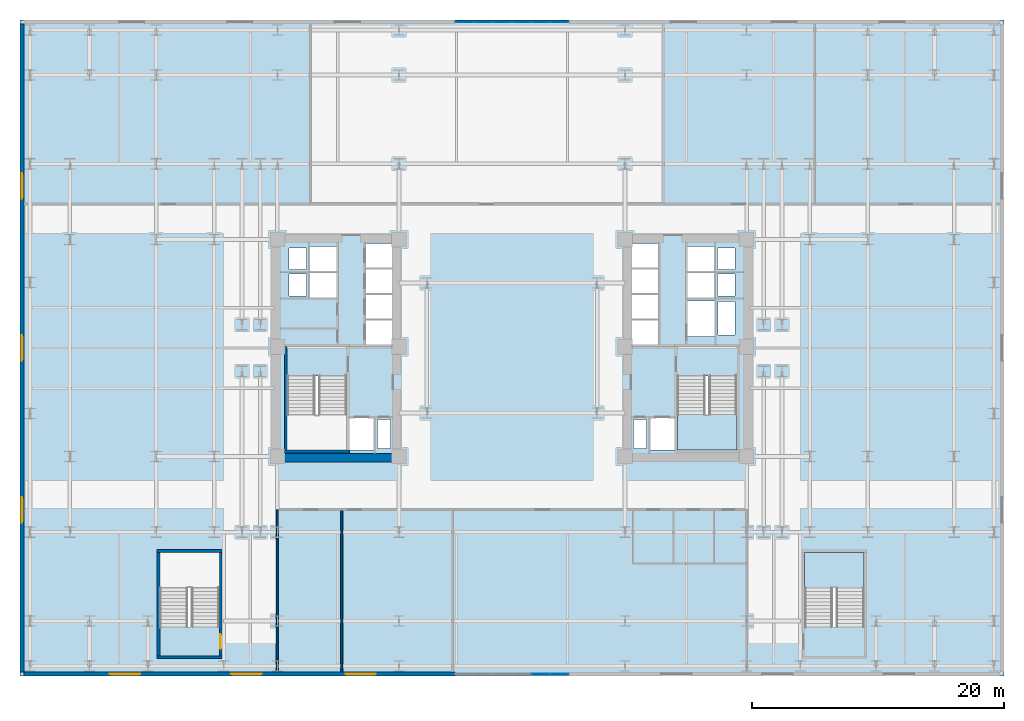
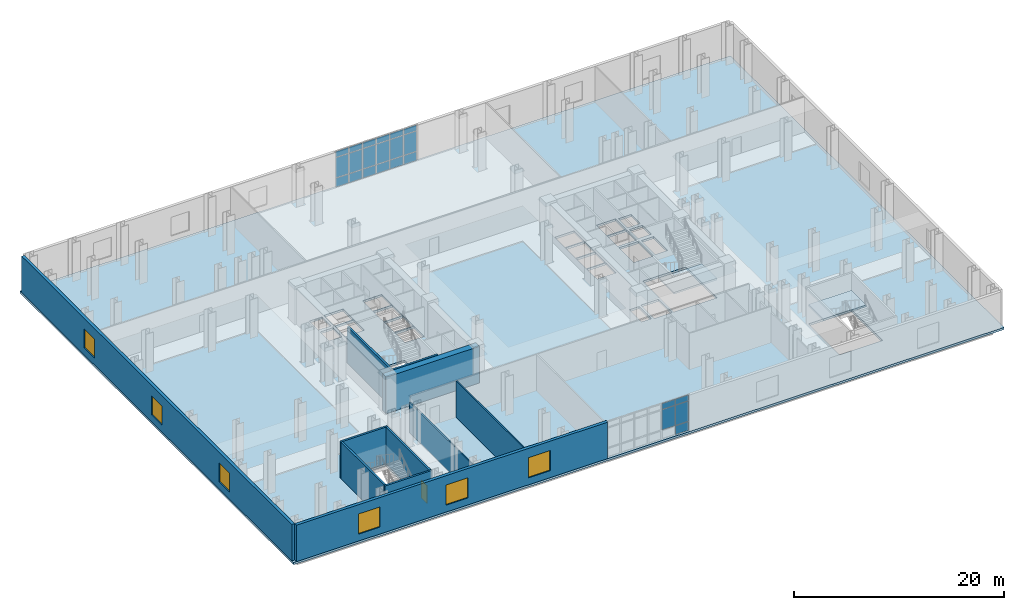
# One storey, part 7 of 15: 23 plates, 11 walls, 6 windows, 3 slabs, 1 door, 7 openings, 4 elements without a shape of their own.
"""IFC4 building model written with IfcOpenShell, lengths in metres."""

from ifc_helpers import new_model, si_unit, direction, frame, frame_2d, origin, origin_2d, place, context, subcontext, project, spatial, polyline, rectangle, outline, extrude, material, layer, layer_set, type_object, element, fill, aggregate, save


model = new_model("IFC4")

# Units and contexts
model_context = context("Model", 3, precision=1e-05, world=origin(), true_north=direction((0.0, 1.0)))
body_context = subcontext(model_context, "Body", "Model", "MODEL_VIEW")
ifc_project = project(units=[si_unit("LENGTHUNIT", "METRE"), si_unit("AREAUNIT", "SQUARE_METRE"), si_unit("VOLUMEUNIT", "CUBIC_METRE"), si_unit("PLANEANGLEUNIT", "RADIAN"), si_unit("MASSUNIT", "GRAM", prefix="KILO")], contexts=[model_context])

# Site, building, storey
site_placement = place(None, origin())
site = spatial("IfcSite", under=ifc_project, at=site_placement, CompositionType="ELEMENT")
building_placement = place(site_placement, origin())
building = spatial("IfcBuilding", under=site, at=building_placement, Name="Velakula Bourse", CompositionType="ELEMENT")
storey_placement = place(building_placement, frame((0.0, 0.0, 14.10009765625)))
storey = spatial("IfcBuildingStorey", under=building, at=storey_placement, Name="L03", CompositionType="ELEMENT", Elevation=14.10009765625)

# Curtain wall, plates
ifc_material_1 = material(Name="Anodised bronze architectural aluminium", Category="aluminium")
ifc_layer_1 = layer(ifc_material_1, 0.179931640625, Name="Anodised bronze architectural aluminium", Category="aluminium")
ifc_layer_set_1 = layer_set([ifc_layer_1], Name="Anodised bronze architectural aluminium")
curtain_wall_type = type_object("IfcCurtainWallType", Name="CW-PD1", PredefinedType="NOTDEFINED", material=ifc_layer_set_1)
curtain_wall_1_placement = place(storey_placement, origin())
curtain_wall_1 = element("IfcCurtainWall", 1, at=curtain_wall_1_placement, inside=storey, type_object=curtain_wall_type, Name="L03 South Station Galleria Curtain Wall 2", PredefinedType="NOTDEFINED")
ifc_material_2 = material(Name="Double-glazed solar-control Low-E glass", Category="glass")
ifc_layer_2 = layer(ifc_material_2, 0.02587890625, Name="Double-glazed solar-control Low-E glass", Category="glass")
ifc_layer_set_2 = layer_set([ifc_layer_2], Name="Double-glazed solar-control Low-E glass")
plate_type = type_object("IfcPlateType", Name="PNL-CW-PD1", PredefinedType="CURTAIN_PANEL", material=ifc_layer_set_2)
plate_1_placement = place(storey_placement, frame((3.735107421875, -25.840087890625, 0.06005859375), z_axis=(0.0, 0.0, 1.0), x_axis=(-1.0, 0.0, 0.0)))
plate_1 = element("IfcPlate", 2, at=plate_1_placement, type_object=plate_type, Name="CW-PD1 panel 1.1", PredefinedType="CURTAIN_PANEL", context=body_context, shape_type="SweptSolid", body=[
    extrude(rectangle(XDim=1.409912109375, YDim=0.028076171875, at=origin_2d()), origin(), (0.0, 0.0, 1.0), 1.010009765625),
])
plate_2_placement = place(storey_placement, frame((3.735107421875, -25.840087890625, 1.1298828125), z_axis=(0.0, 0.0, 1.0), x_axis=(-1.0, 0.0, 0.0)))
plate_2 = element("IfcPlate", 3, at=plate_2_placement, type_object=plate_type, Name="CW-PD1 panel 1.2", PredefinedType="CURTAIN_PANEL", context=body_context, shape_type="SweptSolid", body=[
    extrude(rectangle(XDim=1.409912109375, YDim=0.028076171875, at=origin_2d()), origin(), (0.0, 0.0, 1.0), 2.320068359375),
])
plate_3_placement = place(storey_placement, frame((3.735107421875, -25.840087890625, 3.509765625), z_axis=(0.0, 0.0, 1.0), x_axis=(-1.0, 0.0, 0.0)))
plate_3 = element("IfcPlate", 4, at=plate_3_placement, type_object=plate_type, Name="CW-PD1 panel 1.3", PredefinedType="CURTAIN_PANEL", context=body_context, shape_type="SweptSolid", body=[
    extrude(rectangle(XDim=1.409912109375, YDim=0.028076171875, at=origin_2d()), origin(), (0.0, 0.0, 1.0), 0.659912109375),
])
plate_4_placement = place(storey_placement, frame((2.25, -25.840087890625, 1.1298828125), z_axis=(0.0, 0.0, 1.0), x_axis=(-1.0, 0.0, 0.0)))
plate_4 = element("IfcPlate", 5, at=plate_4_placement, type_object=plate_type, Name="CW-PD1 panel 2.2", PredefinedType="CURTAIN_PANEL", context=body_context, shape_type="SweptSolid", body=[
    extrude(rectangle(XDim=1.43994140625, YDim=0.028076171875, at=origin_2d()), origin(), (0.0, 0.0, 1.0), 2.320068359375),
])
plate_5_placement = place(storey_placement, frame((2.25, -25.840087890625, 3.509765625), z_axis=(0.0, 0.0, 1.0), x_axis=(-1.0, 0.0, 0.0)))
plate_5 = element("IfcPlate", 6, at=plate_5_placement, type_object=plate_type, Name="CW-PD1 panel 2.3", PredefinedType="CURTAIN_PANEL", context=body_context, shape_type="SweptSolid", body=[
    extrude(rectangle(XDim=1.43994140625, YDim=0.028076171875, at=origin_2d()), origin(), (0.0, 0.0, 1.0), 0.659912109375),
])
aggregate(curtain_wall_1, [plate_1, plate_2, plate_3, plate_4, plate_5])

curtain_wall_2_placement = place(storey_placement, origin())
curtain_wall_2 = element("IfcCurtainWall", 7, at=curtain_wall_2_placement, inside=storey, type_object=curtain_wall_type, Name="L03 North Station Galleria Curtain Wall 2", PredefinedType="NOTDEFINED")
plate_6_placement = place(storey_placement, frame((-3.735107421875, 25.840087890625, 0.06005859375), z_axis=(0.0, 0.0, 1.0), x_axis=(1.0, 0.0, 0.0)))
plate_6 = element("IfcPlate", 8, at=plate_6_placement, type_object=plate_type, Name="CW-PD1 panel 1.1", PredefinedType="CURTAIN_PANEL", context=body_context, shape_type="SweptSolid", body=[
    extrude(rectangle(XDim=1.409912109375, YDim=0.028076171875, at=origin_2d()), origin(), (0.0, 0.0, 1.0), 1.010009765625),
])
plate_7_placement = place(storey_placement, frame((-3.735107421875, 25.840087890625, 1.1298828125), z_axis=(0.0, 0.0, 1.0), x_axis=(1.0, 0.0, 0.0)))
plate_7 = element("IfcPlate", 9, at=plate_7_placement, type_object=plate_type, Name="CW-PD1 panel 1.2", PredefinedType="CURTAIN_PANEL", context=body_context, shape_type="SweptSolid", body=[
    extrude(rectangle(XDim=1.409912109375, YDim=0.028076171875, at=origin_2d()), origin(), (0.0, 0.0, 1.0), 2.320068359375),
])
plate_8_placement = place(storey_placement, frame((-3.735107421875, 25.840087890625, 3.509765625), z_axis=(0.0, 0.0, 1.0), x_axis=(1.0, 0.0, 0.0)))
plate_8 = element("IfcPlate", 10, at=plate_8_placement, type_object=plate_type, Name="CW-PD1 panel 1.3", PredefinedType="CURTAIN_PANEL", context=body_context, shape_type="SweptSolid", body=[
    extrude(rectangle(XDim=1.409912109375, YDim=0.028076171875, at=origin_2d()), origin(), (0.0, 0.0, 1.0), 0.659912109375),
])
plate_9_placement = place(storey_placement, frame((-2.25, 25.840087890625, 0.06005859375), z_axis=(0.0, 0.0, 1.0), x_axis=(1.0, 0.0, 0.0)))
plate_9 = element("IfcPlate", 11, at=plate_9_placement, type_object=plate_type, Name="CW-PD1 panel 2.1", PredefinedType="CURTAIN_PANEL", context=body_context, shape_type="SweptSolid", body=[
    extrude(rectangle(XDim=1.43994140625, YDim=0.028076171875, at=origin_2d()), origin(), (0.0, 0.0, 1.0), 1.010009765625),
])
plate_10_placement = place(storey_placement, frame((-2.25, 25.840087890625, 1.1298828125), z_axis=(0.0, 0.0, 1.0), x_axis=(1.0, 0.0, 0.0)))
plate_10 = element("IfcPlate", 12, at=plate_10_placement, type_object=plate_type, Name="CW-PD1 panel 2.2", PredefinedType="CURTAIN_PANEL", context=body_context, shape_type="SweptSolid", body=[
    extrude(rectangle(XDim=1.43994140625, YDim=0.028076171875, at=origin_2d()), origin(), (0.0, 0.0, 1.0), 2.320068359375),
])
plate_11_placement = place(storey_placement, frame((-2.25, 25.840087890625, 3.509765625), z_axis=(0.0, 0.0, 1.0), x_axis=(1.0, 0.0, 0.0)))
plate_11 = element("IfcPlate", 13, at=plate_11_placement, type_object=plate_type, Name="CW-PD1 panel 2.3", PredefinedType="CURTAIN_PANEL", context=body_context, shape_type="SweptSolid", body=[
    extrude(rectangle(XDim=1.43994140625, YDim=0.028076171875, at=origin_2d()), origin(), (0.0, 0.0, 1.0), 0.659912109375),
])
plate_12_placement = place(storey_placement, frame((-0.75, 25.840087890625, 0.06005859375), z_axis=(0.0, 0.0, 1.0), x_axis=(1.0, 0.0, 0.0)))
plate_12 = element("IfcPlate", 14, at=plate_12_placement, type_object=plate_type, Name="CW-PD1 panel 3.1", PredefinedType="CURTAIN_PANEL", context=body_context, shape_type="SweptSolid", body=[
    extrude(rectangle(XDim=1.43994140625, YDim=0.028076171875, at=origin_2d()), origin(), (0.0, 0.0, 1.0), 1.010009765625),
])
plate_13_placement = place(storey_placement, frame((-0.75, 25.840087890625, 1.1298828125), z_axis=(0.0, 0.0, 1.0), x_axis=(1.0, 0.0, 0.0)))
plate_13 = element("IfcPlate", 15, at=plate_13_placement, type_object=plate_type, Name="CW-PD1 panel 3.2", PredefinedType="CURTAIN_PANEL", context=body_context, shape_type="SweptSolid", body=[
    extrude(rectangle(XDim=1.43994140625, YDim=0.028076171875, at=origin_2d()), origin(), (0.0, 0.0, 1.0), 2.320068359375),
])
plate_14_placement = place(storey_placement, frame((-0.75, 25.840087890625, 3.509765625), z_axis=(0.0, 0.0, 1.0), x_axis=(1.0, 0.0, 0.0)))
plate_14 = element("IfcPlate", 16, at=plate_14_placement, type_object=plate_type, Name="CW-PD1 panel 3.3", PredefinedType="CURTAIN_PANEL", context=body_context, shape_type="SweptSolid", body=[
    extrude(rectangle(XDim=1.43994140625, YDim=0.028076171875, at=origin_2d()), origin(), (0.0, 0.0, 1.0), 0.659912109375),
])
plate_15_placement = place(storey_placement, frame((0.75, 25.840087890625, 0.06005859375), z_axis=(0.0, 0.0, 1.0), x_axis=(1.0, 0.0, 0.0)))
plate_15 = element("IfcPlate", 17, at=plate_15_placement, type_object=plate_type, Name="CW-PD1 panel 4.1", PredefinedType="CURTAIN_PANEL", context=body_context, shape_type="SweptSolid", body=[
    extrude(rectangle(XDim=1.43994140625, YDim=0.028076171875, at=origin_2d()), origin(), (0.0, 0.0, 1.0), 1.010009765625),
])
plate_16_placement = place(storey_placement, frame((0.75, 25.840087890625, 1.1298828125), z_axis=(0.0, 0.0, 1.0), x_axis=(1.0, 0.0, 0.0)))
plate_16 = element("IfcPlate", 18, at=plate_16_placement, type_object=plate_type, Name="CW-PD1 panel 4.2", PredefinedType="CURTAIN_PANEL", context=body_context, shape_type="SweptSolid", body=[
    extrude(rectangle(XDim=1.43994140625, YDim=0.028076171875, at=origin_2d()), origin(), (0.0, 0.0, 1.0), 2.320068359375),
])
plate_17_placement = place(storey_placement, frame((0.75, 25.840087890625, 3.509765625), z_axis=(0.0, 0.0, 1.0), x_axis=(1.0, 0.0, 0.0)))
plate_17 = element("IfcPlate", 19, at=plate_17_placement, type_object=plate_type, Name="CW-PD1 panel 4.3", PredefinedType="CURTAIN_PANEL", context=body_context, shape_type="SweptSolid", body=[
    extrude(rectangle(XDim=1.43994140625, YDim=0.028076171875, at=origin_2d()), origin(), (0.0, 0.0, 1.0), 0.659912109375),
])
plate_18_placement = place(storey_placement, frame((2.25, 25.840087890625, 0.06005859375), z_axis=(0.0, 0.0, 1.0), x_axis=(1.0, 0.0, 0.0)))
plate_18 = element("IfcPlate", 20, at=plate_18_placement, type_object=plate_type, Name="CW-PD1 panel 5.1", PredefinedType="CURTAIN_PANEL", context=body_context, shape_type="SweptSolid", body=[
    extrude(rectangle(XDim=1.43994140625, YDim=0.028076171875, at=origin_2d()), origin(), (0.0, 0.0, 1.0), 1.010009765625),
])
plate_19_placement = place(storey_placement, frame((2.25, 25.840087890625, 1.1298828125), z_axis=(0.0, 0.0, 1.0), x_axis=(1.0, 0.0, 0.0)))
plate_19 = element("IfcPlate", 21, at=plate_19_placement, type_object=plate_type, Name="CW-PD1 panel 5.2", PredefinedType="CURTAIN_PANEL", context=body_context, shape_type="SweptSolid", body=[
    extrude(rectangle(XDim=1.43994140625, YDim=0.028076171875, at=origin_2d()), origin(), (0.0, 0.0, 1.0), 2.320068359375),
])
plate_20_placement = place(storey_placement, frame((2.25, 25.840087890625, 3.509765625), z_axis=(0.0, 0.0, 1.0), x_axis=(1.0, 0.0, 0.0)))
plate_20 = element("IfcPlate", 22, at=plate_20_placement, type_object=plate_type, Name="CW-PD1 panel 5.3", PredefinedType="CURTAIN_PANEL", context=body_context, shape_type="SweptSolid", body=[
    extrude(rectangle(XDim=1.43994140625, YDim=0.028076171875, at=origin_2d()), origin(), (0.0, 0.0, 1.0), 0.659912109375),
])
plate_21_placement = place(storey_placement, frame((3.735107421875, 25.840087890625, 0.06005859375), z_axis=(0.0, 0.0, 1.0), x_axis=(1.0, 0.0, 0.0)))
plate_21 = element("IfcPlate", 23, at=plate_21_placement, type_object=plate_type, Name="CW-PD1 panel 6.1", PredefinedType="CURTAIN_PANEL", context=body_context, shape_type="SweptSolid", body=[
    extrude(rectangle(XDim=1.409912109375, YDim=0.028076171875, at=origin_2d()), origin(), (0.0, 0.0, 1.0), 1.010009765625),
])
plate_22_placement = place(storey_placement, frame((3.735107421875, 25.840087890625, 1.1298828125), z_axis=(0.0, 0.0, 1.0), x_axis=(1.0, 0.0, 0.0)))
plate_22 = element("IfcPlate", 24, at=plate_22_placement, type_object=plate_type, Name="CW-PD1 panel 6.2", PredefinedType="CURTAIN_PANEL", context=body_context, shape_type="SweptSolid", body=[
    extrude(rectangle(XDim=1.409912109375, YDim=0.028076171875, at=origin_2d()), origin(), (0.0, 0.0, 1.0), 2.320068359375),
])
plate_23_placement = place(storey_placement, frame((3.735107421875, 25.840087890625, 3.509765625), z_axis=(0.0, 0.0, 1.0), x_axis=(1.0, 0.0, 0.0)))
plate_23 = element("IfcPlate", 25, at=plate_23_placement, type_object=plate_type, Name="CW-PD1 panel 6.3", PredefinedType="CURTAIN_PANEL", context=body_context, shape_type="SweptSolid", body=[
    extrude(rectangle(XDim=1.409912109375, YDim=0.028076171875, at=origin_2d()), origin(), (0.0, 0.0, 1.0), 0.659912109375),
])
aggregate(curtain_wall_2, [plate_6, plate_7, plate_8, plate_9, plate_10, plate_11, plate_12, plate_13, plate_14, plate_15, plate_16, plate_17, plate_18, plate_19, plate_20, plate_21, plate_22, plate_23])

# Slab
ifc_material_3 = material(Name="Concrete M50 (fck 50 MPa)", Category="concrete")
ifc_layer_3 = layer(ifc_material_3, 0.25, Name="Concrete M50 (fck 50 MPa)", Category="concrete")
ifc_layer_set_3 = layer_set([ifc_layer_3], Name="Concrete M50 (fck 50 MPa)")
slab_type_1 = type_object("IfcSlabType", Name="SLB-POD-250", PredefinedType="FLOOR", material=ifc_layer_set_3)
slab_1_placement = place(storey_placement, frame((0.0, 0.0, -0.25)))
element("IfcSlab", 26, at=slab_1_placement, inside=storey, type_object=slab_type_1, Name="L03 Suspended Structural Floor Slab", PredefinedType="FLOOR", context=body_context, shape_type="SweptSolid", body=[
    extrude(outline(polyline([(-39.0, -26.0), (39.0, -26.0), (39.0, 26.0), (-39.0, 26.0), (-39.0, -26.0)]), holes=[polyline([(-17.820068359375, -8.10009765625), (-13.10009765625, -8.10009765625), (-13.10009765625, -2.199951171875), (-17.820068359375, -2.199951171875), (-17.820068359375, -8.10009765625)]), polyline([(13.10009765625, -8.10009765625), (17.820068359375, -8.10009765625), (17.820068359375, -2.199951171875), (13.10009765625, -2.199951171875), (13.10009765625, -8.10009765625)]), polyline([(-27.919921875, -22.10009765625), (-23.199951171875, -22.10009765625), (-23.199951171875, -16.199951171875), (-27.919921875, -16.199951171875), (-27.919921875, -22.10009765625)]), polyline([(23.199951171875, -22.10009765625), (27.919921875, -22.10009765625), (27.919921875, -16.199951171875), (23.199951171875, -16.199951171875), (23.199951171875, -22.10009765625)]), polyline([(-12.89990234375, -8.10009765625), (-10.949951171875, -8.10009765625), (-10.949951171875, -5.550048828125), (-12.89990234375, -5.550048828125), (-12.89990234375, -8.10009765625)]), polyline([(10.949951171875, -8.10009765625), (12.89990234375, -8.10009765625), (12.89990234375, -5.550048828125), (10.949951171875, -5.550048828125), (10.949951171875, -8.10009765625)]), polyline([(13.89990234375, 0.919921875), (16.050048828125, 0.919921875), (16.050048828125, 3.719970703125), (13.89990234375, 3.719970703125), (13.89990234375, 0.919921875)]), polyline([(-10.679931640625, -7.97998046875), (-9.6201171875, -7.97998046875), (-9.6201171875, -5.669921875), (-10.679931640625, -5.669921875), (-10.679931640625, -7.97998046875)]), polyline([(-17.679931640625, 4.139892578125), (-16.27001953125, 4.139892578125), (-16.27001953125, 5.85009765625), (-17.679931640625, 5.85009765625), (-17.679931640625, 4.139892578125)]), polyline([(-17.679931640625, 6.2099609375), (-16.27001953125, 6.2099609375), (-16.27001953125, 7.919921875), (-17.679931640625, 7.919921875), (-17.679931640625, 6.2099609375)]), polyline([(9.6201171875, -7.97998046875), (10.679931640625, -7.97998046875), (10.679931640625, -5.669921875), (9.6201171875, -5.669921875), (9.6201171875, -7.97998046875)]), polyline([(16.27001953125, 4.139892578125), (17.679931640625, 4.139892578125), (17.679931640625, 5.85009765625), (16.27001953125, 5.85009765625), (16.27001953125, 4.139892578125)]), polyline([(16.27001953125, 6.2099609375), (17.679931640625, 6.2099609375), (17.679931640625, 7.919921875), (16.27001953125, 7.919921875), (16.27001953125, 6.2099609375)]), polyline([(16.320068359375, 1.0400390625), (17.679931640625, 1.0400390625), (17.679931640625, 3.699951171875), (16.320068359375, 3.699951171875), (16.320068359375, 1.0400390625)]), polyline([(-11.60009765625, 0.280029296875), (-9.5, 0.280029296875), (-9.5, 2.199951171875), (-11.60009765625, 2.199951171875), (-11.60009765625, 0.280029296875)]), polyline([(-11.60009765625, 2.31005859375), (-9.5, 2.31005859375), (-9.5, 4.22998046875), (-11.60009765625, 4.22998046875), (-11.60009765625, 2.31005859375)]), polyline([(-11.60009765625, 4.340087890625), (-9.5, 4.340087890625), (-9.5, 6.260009765625), (-11.60009765625, 6.260009765625), (-11.60009765625, 4.340087890625)]), polyline([(-11.60009765625, 6.3701171875), (-9.5, 6.3701171875), (-9.5, 8.2900390625), (-11.60009765625, 8.2900390625), (-11.60009765625, 6.3701171875)]), polyline([(9.5, 0.280029296875), (11.60009765625, 0.280029296875), (11.60009765625, 2.199951171875), (9.5, 2.199951171875), (9.5, 0.280029296875)]), polyline([(9.5, 2.31005859375), (11.60009765625, 2.31005859375), (11.60009765625, 4.22998046875), (9.5, 4.22998046875), (9.5, 2.31005859375)]), polyline([(9.5, 4.340087890625), (11.60009765625, 4.340087890625), (11.60009765625, 6.260009765625), (9.5, 6.260009765625), (9.5, 4.340087890625)]), polyline([(9.5, 6.3701171875), (11.60009765625, 6.3701171875), (11.60009765625, 8.2900390625), (9.5, 8.2900390625), (9.5, 6.3701171875)]), polyline([(-16.0, 4.02001953125), (-13.89990234375, 4.02001953125), (-13.89990234375, 5.969970703125), (-16.0, 5.969970703125), (-16.0, 4.02001953125)]), polyline([(-16.0, 6.090087890625), (-13.89990234375, 6.090087890625), (-13.89990234375, 8.0400390625), (-16.0, 8.0400390625), (-16.0, 6.090087890625)]), polyline([(13.89990234375, 4.02001953125), (16.0, 4.02001953125), (16.0, 5.969970703125), (13.89990234375, 5.969970703125), (13.89990234375, 4.02001953125)]), polyline([(13.89990234375, 6.090087890625), (16.0, 6.090087890625), (16.0, 8.0400390625), (13.89990234375, 8.0400390625), (13.89990234375, 6.090087890625)])]), origin(), (0.0, 0.0, 1.0), 0.25),
])

# Stair, slab
ifc_material_4 = material(Name="Concrete M45 (fck 45 MPa)", Category="concrete")
stair_type = type_object("IfcStairType", Name="STR-DOG-435", PredefinedType="HALF_TURN_STAIR", material=ifc_material_4)
stair_1_placement = place(storey_placement, origin())
stair_1 = element("IfcStair", 27, at=stair_1_placement, inside=storey, type_object=stair_type, Name="L03 East Core Exit Stair ST-E1", PredefinedType="HALF_TURN_STAIR")
ifc_layer_4 = layer(ifc_material_4, 0.199951171875, Name="Concrete M45 (fck 45 MPa)", Category="concrete")
ifc_layer_set_4 = layer_set([ifc_layer_4], Name="Concrete M45 (fck 45 MPa)")
slab_type_2 = type_object("IfcSlabType", Name="SLB-STAIR-LND-200", PredefinedType="LANDING", material=ifc_layer_set_4)
slab_2_placement = place(storey_placement, frame((0.0, 0.0, 2.0498046875)))
slab_2 = element("IfcSlab", 28, at=slab_2_placement, type_object=slab_type_2, Name="ST-E1 landing 1", PredefinedType="LANDING", context=body_context, shape_type="SweptSolid", body=[
    extrude(outline(polyline([(13.10009765625, -5.280029296875), (13.10009765625, -8.10009765625), (17.820068359375, -8.10009765625), (17.820068359375, -5.280029296875), (13.10009765625, -5.280029296875)])), origin(), (0.0, 0.0, 1.0), 0.2001953125),
])
aggregate(stair_1, [slab_2])

stair_2_placement = place(storey_placement, origin())
stair_2 = element("IfcStair", 29, at=stair_2_placement, inside=storey, type_object=stair_type, Name="L03 East Podium Exit Stair ST-P2", PredefinedType="HALF_TURN_STAIR")
slab_3_placement = place(storey_placement, frame((0.0, 0.0, 2.0498046875)))
slab_3 = element("IfcSlab", 30, at=slab_3_placement, type_object=slab_type_2, Name="ST-P2 landing 1", PredefinedType="LANDING", context=body_context, shape_type="SweptSolid", body=[
    extrude(outline(polyline([(27.919921875, -19.02001953125), (27.919921875, -16.199951171875), (23.199951171875, -16.199951171875), (23.199951171875, -19.02001953125), (27.919921875, -19.02001953125)])), origin(), (0.0, 0.0, 1.0), 0.2001953125),
])
aggregate(stair_2, [slab_3])

# Walls
ifc_layer_5 = layer(ifc_material_3, 0.2099609375, Name="Concrete M50 (fck 50 MPa)", Category="concrete")
ifc_layer_set_5 = layer_set([ifc_layer_5], Name="Concrete M50 (fck 50 MPa)")
wall_type_1 = type_object("IfcWallType", Name="WL-CORE-210", PredefinedType="SHEAR", material=ifc_layer_set_5)
wall_1_placement = place(storey_placement, frame((-17.925048828125, -8.10009765625, 0.0), z_axis=(0.0, 0.0, 1.0), x_axis=(0.0, 1.0, 0.0)))
element("IfcWall", 31, at=wall_1_placement, inside=storey, type_object=wall_type_1, Name="L03 Core W Stairwell Shear Wall OUT", PredefinedType="SHEAR", context=body_context, shape_type="SweptSolid", body=[
    extrude(rectangle(XDim=8.2001953125, YDim=0.2099609375, at=frame_2d((4.10009765625, 0.0))), origin(), (0.0, 0.0, 1.0), 4.25),
])
wall_2_placement = place(storey_placement, frame((-18.030029296875, -8.205078125, 0.0), z_axis=(0.0, 0.0, 1.0), x_axis=(1.0, 0.0, 0.0)))
element("IfcWall", 32, at=wall_2_placement, inside=storey, type_object=wall_type_1, Name="L03 Core W Stairwell Shear Wall S", PredefinedType="SHEAR", context=body_context, shape_type="SweptSolid", body=[
    extrude(rectangle(XDim=5.14013671875, YDim=0.2099609375, at=frame_2d((2.570068359375, 0.0))), origin(), (0.0, 0.0, 1.0), 4.25),
])
for number, where, z_axis, x_axis, name in (
    (33, (-28.1298828125, -24.5048828125, 0.0), (0.0, 0.0, 1.0), (1.0, 0.0, 0.0), "L03 Podium Stair ST-P1 Shear Wall S"),
    (34, (-28.1298828125, -16.094970703125, 0.0), (0.0, 0.0, 1.0), (1.0, 0.0, 0.0), "L03 Podium Stair ST-P1 Shear Wall N"),
):
    element("IfcWall", number, at=place(storey_placement, frame(where, z_axis=z_axis, x_axis=x_axis)), inside=storey, type_object=wall_type_1, Name=name, PredefinedType="SHEAR", context=body_context, shape_type="SweptSolid", body=[
        extrude(rectangle(XDim=5.139892578125, YDim=0.2099609375, at=frame_2d((2.56982421875, 0.0))), origin(), (0.0, 0.0, 1.0), 4.25),
    ])
wall_3_placement = place(storey_placement, frame((-28.02490234375, -24.39990234375, 0.0), z_axis=(0.0, 0.0, 1.0), x_axis=(0.0, 1.0, 0.0)))
element("IfcWall", 35, at=wall_3_placement, inside=storey, type_object=wall_type_1, Name="L03 Podium Stair ST-P1 Shear Wall W", PredefinedType="SHEAR", context=body_context, shape_type="SweptSolid", body=[
    extrude(rectangle(XDim=8.199951171875, YDim=0.2099609375, at=frame_2d((4.10009765625, 0.0))), origin(), (0.0, 0.0, 1.0), 4.25),
])

# Wall, opening, door
wall_4_placement = place(storey_placement, frame((-23.094970703125, -24.39990234375, 0.0), z_axis=(0.0, 0.0, 1.0), x_axis=(0.0, 1.0, 0.0)))
wall_4 = element("IfcWall", 36, at=wall_4_placement, inside=storey, type_object=wall_type_1, Name="L03 Podium Stair ST-P1 Shear Wall E", PredefinedType="SHEAR", context=body_context, shape_type="SweptSolid", body=[
    extrude(rectangle(XDim=8.199951171875, YDim=0.2099609375, at=frame_2d((4.10009765625, 0.0))), origin(), (0.0, 0.0, 1.0), 4.25),
])
opening_1_placement = place(wall_4_placement, frame((0.550048828125, 0.0, 0.0)))
opening_1 = element("IfcOpeningElement", 37, at=opening_1_placement, cuts=wall_4, Name="Opening D-P1", PredefinedType="OPENING", context=body_context, shape_type="SweptSolid", body=[
    extrude(rectangle(XDim=1.14990234375, YDim=2.10009765625, at=frame_2d((0.574951171875, 1.050048828125))), frame((0.0, 0.114990234375, 0.0), z_axis=(0.0, -1.0, 0.0), x_axis=(1.0, 0.0, 0.0)), (0.0, 0.0, 1.0), 0.22998046875),
])
ifc_material_5 = material(Name="Galvanised painted hollow steel fire door", Category="steel")
door_type = type_object("IfcDoorType", Name="DR-FD120-1150x2100", OperationType="NOTDEFINED", PredefinedType="DOOR", material=ifc_material_5)
door_placement = place(opening_1_placement, origin())
door = element("IfcDoor", 38, at=door_placement, inside=storey, type_object=door_type, Name="L03 Stair ST-P1 Fire Door", OperationType="SINGLE_SWING_LEFT", OverallHeight=2.10009765625, OverallWidth=1.14990234375, PredefinedType="DOOR", context=body_context, shape_type="SweptSolid", body=[
    extrude(rectangle(XDim=1.14990234375, YDim=2.10009765625, at=frame_2d((0.574951171875, 1.050048828125))), frame((0.0, 0.02490234375, 0.0), z_axis=(0.0, -1.0, 0.0), x_axis=(1.0, 0.0, 0.0)), (0.0, 0.0, 1.0), 0.050048828125),
])
fill(opening_1, door)

# Wall
ifc_material_6 = material(Name="Concrete M70 (fck 70 MPa)", Category="concrete")
ifc_layer_6 = layer(ifc_material_6, 0.699951171875, Name="Concrete M70 (fck 70 MPa)", Category="concrete")
ifc_layer_set_6 = layer_set([ifc_layer_6], Name="Concrete M70 (fck 70 MPa)")
wall_type_2 = type_object("IfcWallType", Name="WL-CORE-700", PredefinedType="SHEAR", material=ifc_layer_set_6)
wall_5_placement = place(storey_placement, frame((-19.050048828125, -8.699951171875, 0.0), z_axis=(0.0, 0.0, 1.0), x_axis=(1.0, 0.0, 0.0)))
element("IfcWall", 39, at=wall_5_placement, inside=storey, type_object=wall_type_2, Name="L03 Core W Shear Wall S", PredefinedType="SHEAR", context=body_context, shape_type="SweptSolid", body=[
    extrude(rectangle(XDim=10.25, YDim=0.699951171875, at=frame_2d((5.125, 0.0))), origin(), (0.0, 0.0, 1.0), 4.25),
])

# Wall, openings, windows
ifc_material_7 = material(Name="Red kilned clay facing brick masonry", Category="masonry")
ifc_layer_7 = layer(ifc_material_7, 0.320068359375, Name="Red kilned clay facing brick masonry", Category="masonry")
ifc_layer_set_7 = layer_set([ifc_layer_7], Name="Red kilned clay facing brick masonry")
wall_type_3 = type_object("IfcWallType", Name="WL-EXT-BRK-320", PredefinedType="STANDARD", material=ifc_layer_set_7)
wall_6_placement = place(storey_placement, frame((-4.5, -25.840087890625, 0.0), z_axis=(0.0, 0.0, 1.0), x_axis=(-1.0, 0.0, 0.0)))
wall_6 = element("IfcWall", 40, at=wall_6_placement, inside=storey, type_object=wall_type_3, Name="L03 South Brick Facade Wall 3", PredefinedType="STANDARD", context=body_context, shape_type="SweptSolid", body=[
    extrude(rectangle(XDim=34.179931640625, YDim=0.320068359375, at=frame_2d((17.08984375, 0.0))), origin(), (0.0, 0.0, 1.0), 4.22998046875),
])
opening_2_placement = place(wall_6_placement, frame((6.294921875, 0.0, 0.800048828125)))
opening_2 = element("IfcOpeningElement", 41, at=opening_2_placement, cuts=wall_6, Name="Opening W-06", PredefinedType="OPENING", context=body_context, shape_type="SweptSolid", body=[
    extrude(rectangle(XDim=2.39990234375, YDim=2.35009765625, at=frame_2d((1.199951171875, 1.175048828125))), frame((0.0, 0.169921875, 0.0), z_axis=(0.0, -1.0, 0.0), x_axis=(1.0, 0.0, 0.0)), (0.0, 0.0, 1.0), 0.340087890625),
])
opening_3_placement = place(wall_6_placement, frame((15.340087890625, 0.0, 0.800048828125)))
opening_3 = element("IfcOpeningElement", 42, at=opening_3_placement, cuts=wall_6, Name="Opening W-06", PredefinedType="OPENING", context=body_context, shape_type="SweptSolid", body=[
    extrude(rectangle(XDim=2.39990234375, YDim=2.35009765625, at=frame_2d((1.199951171875, 1.175048828125))), frame((0.0, 0.169921875, 0.0), z_axis=(0.0, -1.0, 0.0), x_axis=(1.0, 0.0, 0.0)), (0.0, 0.0, 1.0), 0.340087890625),
])
opening_4_placement = place(wall_6_placement, frame((24.985107421875, 0.0, 0.800048828125)))
opening_4 = element("IfcOpeningElement", 43, at=opening_4_placement, cuts=wall_6, Name="Opening W-06", PredefinedType="OPENING", context=body_context, shape_type="SweptSolid", body=[
    extrude(rectangle(XDim=2.39990234375, YDim=2.35009765625, at=frame_2d((1.199951171875, 1.175048828125))), frame((0.0, 0.169921875, 0.0), z_axis=(0.0, -1.0, 0.0), x_axis=(1.0, 0.0, 0.0)), (0.0, 0.0, 1.0), 0.340087890625),
])
window_type_1 = type_object("IfcWindowType", Name="WIN-POD-2400x2600", PartitioningType="DOUBLE_PANEL_VERTICAL", PredefinedType="WINDOW", material=ifc_material_2)
window_1_placement = place(opening_2_placement, origin())
window_1 = element("IfcWindow", 44, at=window_1_placement, inside=storey, type_object=window_type_1, Name="L03 Deep-Set Recessed Window 1", OverallHeight=2.35009765625, OverallWidth=2.39990234375, PartitioningType="DOUBLE_PANEL_VERTICAL", PredefinedType="WINDOW", context=body_context, shape_type="SweptSolid", body=[
    extrude(rectangle(XDim=2.39990234375, YDim=2.35009765625, at=frame_2d((1.199951171875, 1.175048828125))), frame((0.0, 0.030029296875, 0.0), z_axis=(0.0, -1.0, 0.0), x_axis=(1.0, 0.0, 0.0)), (0.0, 0.0, 1.0), 0.06005859375),
])
fill(opening_2, window_1)
window_2_placement = place(opening_3_placement, origin())
window_2 = element("IfcWindow", 45, at=window_2_placement, inside=storey, type_object=window_type_1, Name="L03 Deep-Set Recessed Window 2", OverallHeight=2.35009765625, OverallWidth=2.39990234375, PartitioningType="DOUBLE_PANEL_VERTICAL", PredefinedType="WINDOW", context=body_context, shape_type="SweptSolid", body=[
    extrude(rectangle(XDim=2.39990234375, YDim=2.35009765625, at=frame_2d((1.199951171875, 1.175048828125))), frame((0.0, 0.030029296875, 0.0), z_axis=(0.0, -1.0, 0.0), x_axis=(1.0, 0.0, 0.0)), (0.0, 0.0, 1.0), 0.06005859375),
])
fill(opening_3, window_2)
window_3_placement = place(opening_4_placement, origin())
window_3 = element("IfcWindow", 46, at=window_3_placement, inside=storey, type_object=window_type_1, Name="L03 Deep-Set Recessed Window 3", OverallHeight=2.35009765625, OverallWidth=2.39990234375, PartitioningType="DOUBLE_PANEL_VERTICAL", PredefinedType="WINDOW", context=body_context, shape_type="SweptSolid", body=[
    extrude(rectangle(XDim=2.39990234375, YDim=2.35009765625, at=frame_2d((1.199951171875, 1.175048828125))), frame((0.0, 0.030029296875, 0.0), z_axis=(0.0, -1.0, 0.0), x_axis=(1.0, 0.0, 0.0)), (0.0, 0.0, 1.0), 0.06005859375),
])
fill(opening_4, window_3)

wall_7_placement = place(storey_placement, frame((-38.840087890625, -25.679931640625, 0.0), z_axis=(0.0, 0.0, 1.0), x_axis=(0.0, 1.0, 0.0)))
wall_7 = element("IfcWall", 47, at=wall_7_placement, inside=storey, type_object=wall_type_3, Name="L03 W Brick Facade Wall", PredefinedType="STANDARD", context=body_context, shape_type="SweptSolid", body=[
    extrude(rectangle(XDim=51.35986328125, YDim=0.320068359375, at=frame_2d((25.679931640625, 0.0))), origin(), (0.0, 0.0, 1.0), 4.22998046875),
])
opening_5_placement = place(wall_7_placement, frame((11.840087890625, 0.0, 0.800048828125)))
opening_5 = element("IfcOpeningElement", 48, at=opening_5_placement, cuts=wall_7, Name="Opening W-07", PredefinedType="OPENING", context=body_context, shape_type="SweptSolid", body=[
    extrude(rectangle(XDim=2.0, YDim=2.199951171875, at=frame_2d((1.0, 1.10009765625))), frame((0.0, 0.169921875, 0.0), z_axis=(0.0, -1.0, 0.0), x_axis=(1.0, 0.0, 0.0)), (0.0, 0.0, 1.0), 0.340087890625),
])
opening_6_placement = place(wall_7_placement, frame((24.679931640625, 0.0, 0.800048828125)))
opening_6 = element("IfcOpeningElement", 49, at=opening_6_placement, cuts=wall_7, Name="Opening W-07", PredefinedType="OPENING", context=body_context, shape_type="SweptSolid", body=[
    extrude(rectangle(XDim=2.0, YDim=2.199951171875, at=frame_2d((1.0, 1.10009765625))), frame((0.0, 0.169921875, 0.0), z_axis=(0.0, -1.0, 0.0), x_axis=(1.0, 0.0, 0.0)), (0.0, 0.0, 1.0), 0.340087890625),
])
opening_7_placement = place(wall_7_placement, frame((37.52001953125, 0.0, 0.800048828125)))
opening_7 = element("IfcOpeningElement", 50, at=opening_7_placement, cuts=wall_7, Name="Opening W-07", PredefinedType="OPENING", context=body_context, shape_type="SweptSolid", body=[
    extrude(rectangle(XDim=2.0, YDim=2.199951171875, at=frame_2d((1.0, 1.10009765625))), frame((0.0, 0.169921875, 0.0), z_axis=(0.0, -1.0, 0.0), x_axis=(1.0, 0.0, 0.0)), (0.0, 0.0, 1.0), 0.340087890625),
])
window_type_2 = type_object("IfcWindowType", Name="WIN-POD-2000x2400", PartitioningType="DOUBLE_PANEL_VERTICAL", PredefinedType="WINDOW", material=ifc_material_2)
window_4_placement = place(opening_5_placement, origin())
window_4 = element("IfcWindow", 51, at=window_4_placement, inside=storey, type_object=window_type_2, Name="L03 Deep-Set Recessed Window 1", OverallHeight=2.199951171875, OverallWidth=2.0, PartitioningType="DOUBLE_PANEL_VERTICAL", PredefinedType="WINDOW", context=body_context, shape_type="SweptSolid", body=[
    extrude(rectangle(XDim=2.0, YDim=2.199951171875, at=frame_2d((1.0, 1.10009765625))), frame((0.0, 0.030029296875, 0.0), z_axis=(0.0, -1.0, 0.0), x_axis=(1.0, 0.0, 0.0)), (0.0, 0.0, 1.0), 0.06005859375),
])
fill(opening_5, window_4)
window_5_placement = place(opening_6_placement, origin())
window_5 = element("IfcWindow", 52, at=window_5_placement, inside=storey, type_object=window_type_2, Name="L03 Deep-Set Recessed Window 2", OverallHeight=2.199951171875, OverallWidth=2.0, PartitioningType="DOUBLE_PANEL_VERTICAL", PredefinedType="WINDOW", context=body_context, shape_type="SweptSolid", body=[
    extrude(rectangle(XDim=2.0, YDim=2.199951171875, at=frame_2d((1.0, 1.10009765625))), frame((0.0, 0.030029296875, 0.0), z_axis=(0.0, -1.0, 0.0), x_axis=(1.0, 0.0, 0.0)), (0.0, 0.0, 1.0), 0.06005859375),
])
fill(opening_6, window_5)
window_6_placement = place(opening_7_placement, origin())
window_6 = element("IfcWindow", 53, at=window_6_placement, inside=storey, type_object=window_type_2, Name="L03 Deep-Set Recessed Window 3", OverallHeight=2.199951171875, OverallWidth=2.0, PartitioningType="DOUBLE_PANEL_VERTICAL", PredefinedType="WINDOW", context=body_context, shape_type="SweptSolid", body=[
    extrude(rectangle(XDim=2.0, YDim=2.199951171875, at=frame_2d((1.0, 1.10009765625))), frame((0.0, 0.030029296875, 0.0), z_axis=(0.0, -1.0, 0.0), x_axis=(1.0, 0.0, 0.0)), (0.0, 0.0, 1.0), 0.06005859375),
])
fill(opening_7, window_6)

# Walls
ifc_material_8 = material(Name="Fire-rated double-layer gypsum drywall partition", Category="gypsum")
ifc_layer_8 = layer(ifc_material_8, 0.139892578125, Name="Fire-rated double-layer gypsum drywall partition", Category="gypsum")
ifc_layer_set_8 = layer_set([ifc_layer_8], Name="Fire-rated double-layer gypsum drywall partition")
wall_type_4 = type_object("IfcWallType", Name="WL-PART-140", PredefinedType="STANDARD", material=ifc_layer_set_8)
wall_8_placement = place(storey_placement, frame((-18.60009765625, -25.679931640625, 0.0), z_axis=(0.0, 0.0, 1.0), x_axis=(0.0, 1.0, 0.0)))
element("IfcWall", 54, at=wall_8_placement, inside=storey, type_object=wall_type_4, Name="L03 Interior Partition WL-POD-L03-SW-END", PredefinedType="STANDARD", context=body_context, shape_type="SweptSolid", body=[
    extrude(rectangle(XDim=12.85986328125, YDim=0.139892578125, at=frame_2d((6.429931640625, 0.0))), origin(), (0.0, 0.0, 1.0), 3.52490234375),
])
wall_9_placement = place(storey_placement, frame((-13.5, -25.679931640625, 0.0), z_axis=(0.0, 0.0, 1.0), x_axis=(0.0, 1.0, 0.0)))
element("IfcWall", 55, at=wall_9_placement, inside=storey, type_object=wall_type_4, Name="L03 Interior Partition WL-POD-L03-SD1", PredefinedType="STANDARD", context=body_context, shape_type="SweptSolid", body=[
    extrude(rectangle(XDim=12.7900390625, YDim=0.139892578125, at=frame_2d((6.39501953125, 0.0))), origin(), (0.0, 0.0, 1.0), 4.22998046875),
])

save(model, "model.ifc")
